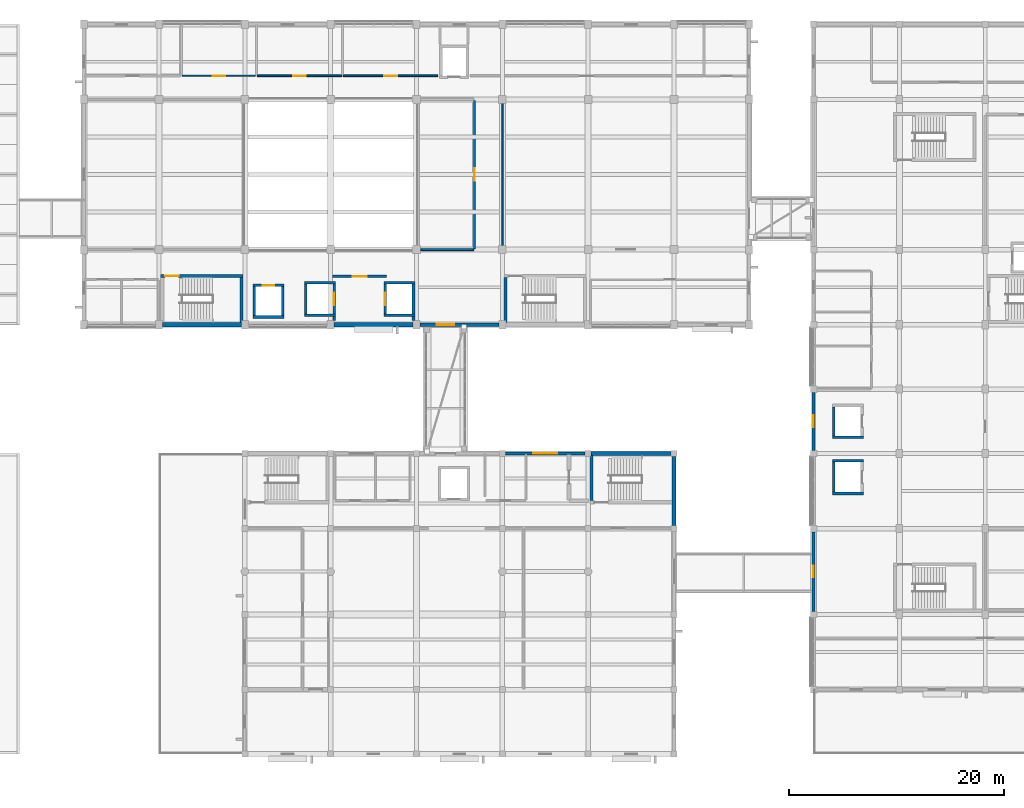
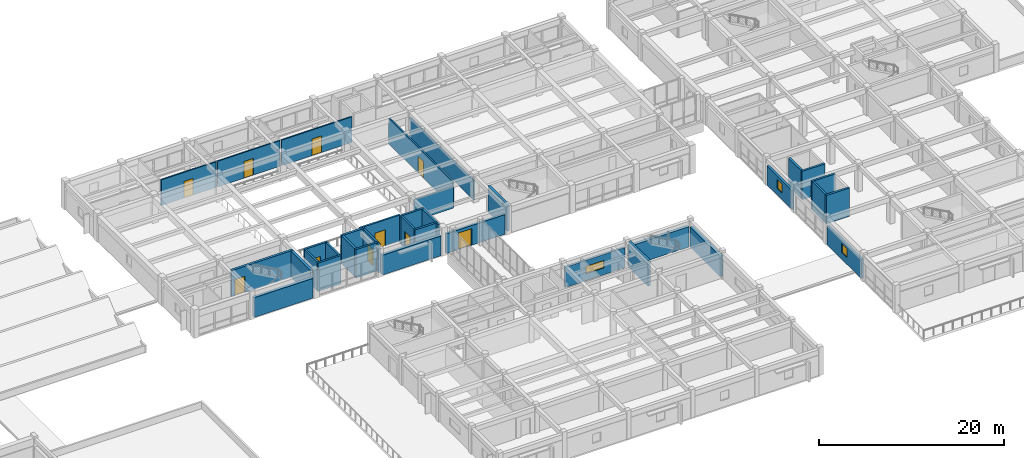
# One storey, part 29 of 42: 36 walls, 10 doors, 3 windows, 13 openings.
"""IFC4 building model written with IfcOpenShell, lengths in metres."""

from ifc_helpers import new_model, si_unit, direction, frame, frame_2d, origin, place, context, subcontext, project, spatial, rectangle, extrude, material, layer, layer_set, type_object, element, fill, save


model = new_model("IFC4")

# Units and contexts
model_context = context("Model", 3, precision=1e-05, world=origin(), true_north=direction((0.0, 1.0)))
body_context = subcontext(model_context, "Body", "Model", "MODEL_VIEW")
ifc_project = project(units=[si_unit("LENGTHUNIT", "METRE"), si_unit("AREAUNIT", "SQUARE_METRE"), si_unit("VOLUMEUNIT", "CUBIC_METRE"), si_unit("PLANEANGLEUNIT", "RADIAN"), si_unit("MASSUNIT", "GRAM", prefix="KILO")], contexts=[model_context])

# Site, building, storey
site_placement = place(None, origin())
site = spatial("IfcSite", under=ifc_project, at=site_placement, CompositionType="ELEMENT")
building_placement = place(site_placement, origin())
building = spatial("IfcBuilding", under=site, at=building_placement, Name="Naurynzar Civic Courthouse", CompositionType="ELEMENT")
storey_placement = place(building_placement, frame((0.0, 0.0, 18.300048828125)))
storey = spatial("IfcBuildingStorey", under=building, at=storey_placement, Name="L05", CompositionType="ELEMENT", Elevation=18.300048828125)

# Wall
ifc_material_1 = material(Name="Acoustic Double-Stud Gypsum Partition")
ifc_layer_1 = layer(ifc_material_1, 0.14501953125)
ifc_layer_set_1 = layer_set([ifc_layer_1], Name="WL-ACOUSTIC-145")
wall_type_1 = type_object("IfcWallType", Name="WL-ACOUSTIC-145", PredefinedType="PARTITIONING", material=ifc_layer_set_1)
wall_1_placement = place(storey_placement, frame((101.0, 51.080078125, 0.0), z_axis=(0.0, 0.0, 1.0), x_axis=(0.0, 1.0, 0.0)))
element("IfcWall", 1, at=wall_1_placement, inside=storey, type_object=wall_type_1, Name="V2 interior partition L05.635", PredefinedType="PARTITIONING", context=body_context, shape_type="SweptSolid", body=[
    extrude(rectangle(XDim=13.83984375, YDim=0.14501953125, at=frame_2d((6.919921875, 0.0))), origin(), (0.0, 0.0, 1.0), 2.619873046875),
])

# Wall, opening, door
ifc_material_2 = material(Name="Concrete C40/50", Category="concrete")
ifc_layer_2 = layer(ifc_material_2, 0.300048828125)
ifc_layer_set_2 = layer_set([ifc_layer_2], Name="WL-CORE-300")
wall_type_2 = type_object("IfcWallType", Name="WL-CORE-300", PredefinedType="SHEAR", material=ifc_layer_set_2)
wall_2_placement = place(storey_placement, frame((76.85009765625, 48.550048828125, 0.0), z_axis=(0.0, 0.0, 1.0), x_axis=(-1.0, 0.0, 0.0)))
wall_2 = element("IfcWall", 2, at=wall_2_placement, inside=storey, type_object=wall_type_2, Name="Stair ST-V2A enclosure wall north L05", PredefinedType="SHEAR", context=body_context, shape_type="SweptSolid", body=[
    extrude(rectangle(XDim=7.7001953125, YDim=0.300048828125, at=frame_2d((3.85009765625, 0.0))), origin(), (0.0, 0.0, 1.0), 3.469970703125),
])
opening_1_placement = place(wall_2_placement, frame((6.02490234375, 0.0, 0.0)))
opening_1 = element("IfcOpeningElement", 3, at=opening_1_placement, cuts=wall_2, Name="Opening SD-028", PredefinedType="OPENING", context=body_context, shape_type="SweptSolid", body=[
    extrude(rectangle(XDim=1.25, YDim=2.14990234375, at=frame_2d((0.625, 1.074951171875))), frame((0.0, 0.159912109375, 0.0), z_axis=(0.0, -1.0, 0.0), x_axis=(1.0, 0.0, 0.0)), (0.0, 0.0, 1.0), 0.320068359375),
])
ifc_material_3 = material(Name="Powder-Coated Galvanised Steel", Category="steel")
door_type_1 = type_object("IfcDoorType", Name="DR-STAIR-1250x2150", OperationType="NOTDEFINED", PredefinedType="DOOR", material=ifc_material_3)
door_1_placement = place(opening_1_placement, origin())
door_1 = element("IfcDoor", 4, at=door_1_placement, inside=storey, type_object=door_type_1, Name="Stair ST-V2A fire door L05", OperationType="SINGLE_SWING_RIGHT", OverallHeight=2.14990234375, OverallWidth=1.25, PredefinedType="DOOR", context=body_context, shape_type="SweptSolid", body=[
    extrude(rectangle(XDim=1.25, YDim=2.14990234375, at=frame_2d((0.625, 1.074951171875))), frame((0.0, 0.02490234375, 0.0), z_axis=(0.0, -1.0, 0.0), x_axis=(1.0, 0.0, 0.0)), (0.0, 0.0, 1.0), 0.050048828125),
])
fill(opening_1, door_1)

# Walls
for number, where, z_axis, x_axis, name in (
    (5, (76.699951171875, 44.195068359375, 0.0), (0.0, 0.0, 1.0), (0.0, 1.0, 0.0), "Stair ST-V2A enclosure wall east L05"),
    (6, (101.300048828125, 48.39501953125, 0.0), (0.0, 0.0, 1.0), (0.0, -1.0, 0.0), "Stair ST-V2B enclosure wall west L05"),
):
    element("IfcWall", number, at=place(storey_placement, frame(where, z_axis=z_axis, x_axis=x_axis)), inside=storey, type_object=wall_type_2, Name=name, PredefinedType="SHEAR", context=body_context, shape_type="SweptSolid", body=[
        extrude(rectangle(XDim=4.199951171875, YDim=0.300048828125, at=frame_2d((2.10009765625, 0.0))), origin(), (0.0, 0.0, 1.0), 3.469970703125),
    ])
wall_3_placement = place(storey_placement, frame((109.300048828125, 31.804931640625, 0.0), z_axis=(0.0, 0.0, 1.0), x_axis=(0.0, -1.0, 0.0)))
element("IfcWall", 7, at=wall_3_placement, inside=storey, type_object=wall_type_2, Name="Stair ST-V3B enclosure wall west L05", PredefinedType="SHEAR", context=body_context, shape_type="SweptSolid", body=[
    extrude(rectangle(XDim=4.199951171875, YDim=0.300048828125, at=frame_2d((2.10009765625, 0.0))), origin(), (0.0, 0.0, 1.0), 3.409912109375),
])

# Wall, opening, window
ifc_material_4 = material(Name="Precast concrete C40/50", Category="concrete")
ifc_layer_3 = layer(ifc_material_4, 0.260009765625)
ifc_layer_set_3 = layer_set([ifc_layer_3], Name="WL-EXT-260")
wall_type_3 = type_object("IfcWallType", Name="WL-EXT-260", PredefinedType="SOLIDWALL", material=ifc_layer_set_3)
wall_4_placement = place(storey_placement, frame((101.27490234375, 32.0, 0.0), z_axis=(0.0, 0.0, 1.0), x_axis=(1.0, 0.0, 0.0)))
wall_4 = element("IfcWall", 8, at=wall_4_placement, inside=storey, type_object=wall_type_3, Name="V3 exterior wall north L05.4.1", PredefinedType="SOLIDWALL", context=body_context, shape_type="SweptSolid", body=[
    extrude(rectangle(XDim=7.4501953125, YDim=0.260009765625, at=frame_2d((3.72509765625, 0.0))), origin(), (0.0, 0.0, 1.0), 2.68994140625),
])
opening_2_placement = place(wall_4_placement, frame((2.625, 0.0, 0.89990234375)))
opening_2 = element("IfcOpeningElement", 9, at=opening_2_placement, cuts=wall_4, Name="Opening WN-18", PredefinedType="OPENING", context=body_context, shape_type="SweptSolid", body=[
    extrude(rectangle(XDim=2.199951171875, YDim=1.0, at=frame_2d((1.10009765625, 0.5))), frame((0.0, 0.139892578125, 0.0), z_axis=(0.0, -1.0, 0.0), x_axis=(1.0, 0.0, 0.0)), (0.0, 0.0, 1.0), 0.280029296875),
])
ifc_material_5 = material(Name="Tempered Laminated Low-E Glass", Category="glass")
window_type_1 = type_object("IfcWindowType", Name="WIN-CLER-2200x1000", PartitioningType="DOUBLE_PANEL_VERTICAL", PredefinedType="WINDOW", material=ifc_material_5)
window_1_placement = place(opening_2_placement, origin())
window_1 = element("IfcWindow", 10, at=window_1_placement, inside=storey, type_object=window_type_1, Name="V3 window 193 L05", OverallHeight=1.0, OverallWidth=2.199951171875, PartitioningType="SINGLE_PANEL", PredefinedType="WINDOW", context=body_context, shape_type="SweptSolid", body=[
    extrude(rectangle(XDim=2.199951171875, YDim=1.0, at=frame_2d((1.10009765625, 0.5))), frame((0.0, 0.030029296875, 0.0), z_axis=(0.0, -1.0, 0.0), x_axis=(1.0, 0.0, 0.0)), (0.0, 0.0, 1.0), 0.06005859375),
])
fill(opening_2, window_1)

wall_5_placement = place(storey_placement, frame((130.0, 17.300048828125, 0.0), z_axis=(0.0, 0.0, 1.0), x_axis=(0.0, 1.0, 0.0)))
wall_5 = element("IfcWall", 11, at=wall_5_placement, inside=storey, type_object=wall_type_3, Name="V5 exterior wall west L05.2.1", PredefinedType="SOLIDWALL", context=body_context, shape_type="SweptSolid", body=[
    extrude(rectangle(XDim=7.39990234375, YDim=0.260009765625, at=frame_2d((3.699951171875, 0.0))), origin(), (0.0, 0.0, 1.0), 2.550048828125),
])
opening_3_placement = place(wall_5_placement, frame((3.14990234375, 0.0, 0.89990234375)))
opening_3 = element("IfcOpeningElement", 12, at=opening_3_placement, cuts=wall_5, Name="Opening WN-15", PredefinedType="OPENING", context=body_context, shape_type="SweptSolid", body=[
    extrude(rectangle(XDim=1.10009765625, YDim=1.199951171875, at=frame_2d((0.550048828125, 0.60009765625))), frame((0.0, 0.139892578125, 0.0), z_axis=(0.0, -1.0, 0.0), x_axis=(1.0, 0.0, 0.0)), (0.0, 0.0, 1.0), 0.280029296875),
])
ifc_material_6 = material(Name="Tempered Laminated Low-E Glass", Category="glass")
window_type_2 = type_object("IfcWindowType", Name="WIN-SEC-1100x1200", PartitioningType="SINGLE_PANEL", PredefinedType="WINDOW", material=ifc_material_6)
window_2_placement = place(opening_3_placement, origin())
window_2 = element("IfcWindow", 13, at=window_2_placement, inside=storey, type_object=window_type_2, Name="V5 window 320 L05", OverallHeight=1.199951171875, OverallWidth=1.10009765625, PartitioningType="SINGLE_PANEL", PredefinedType="WINDOW", context=body_context, shape_type="SweptSolid", body=[
    extrude(rectangle(XDim=1.10009765625, YDim=1.199951171875, at=frame_2d((0.550048828125, 0.60009765625))), frame((0.0, 0.030029296875, 0.0), z_axis=(0.0, -1.0, 0.0), x_axis=(1.0, 0.0, 0.0)), (0.0, 0.0, 1.0), 0.06005859375),
])
fill(opening_3, window_2)

wall_6_placement = place(storey_placement, frame((130.0, 32.300048828125, 0.0), z_axis=(0.0, 0.0, 1.0), x_axis=(0.0, 1.0, 0.0)))
wall_6 = element("IfcWall", 14, at=wall_6_placement, inside=storey, type_object=wall_type_3, Name="V5 exterior wall west L05.4.1", PredefinedType="SOLIDWALL", context=body_context, shape_type="SweptSolid", body=[
    extrude(rectangle(XDim=5.39990234375, YDim=0.260009765625, at=frame_2d((2.699951171875, 0.0))), origin(), (0.0, 0.0, 1.0), 2.550048828125),
])
opening_4_placement = place(wall_6_placement, frame((2.14990234375, 0.0, 0.89990234375)))
opening_4 = element("IfcOpeningElement", 15, at=opening_4_placement, cuts=wall_6, Name="Opening WN-15", PredefinedType="OPENING", context=body_context, shape_type="SweptSolid", body=[
    extrude(rectangle(XDim=1.10009765625, YDim=1.199951171875, at=frame_2d((0.550048828125, 0.60009765625))), frame((0.0, 0.139892578125, 0.0), z_axis=(0.0, -1.0, 0.0), x_axis=(1.0, 0.0, 0.0)), (0.0, 0.0, 1.0), 0.280029296875),
])
window_3_placement = place(opening_4_placement, origin())
window_3 = element("IfcWindow", 16, at=window_3_placement, inside=storey, type_object=window_type_2, Name="V5 window 321 L05", OverallHeight=1.199951171875, OverallWidth=1.10009765625, PartitioningType="SINGLE_PANEL", PredefinedType="WINDOW", context=body_context, shape_type="SweptSolid", body=[
    extrude(rectangle(XDim=1.10009765625, YDim=1.199951171875, at=frame_2d((0.550048828125, 0.60009765625))), frame((0.0, 0.030029296875, 0.0), z_axis=(0.0, -1.0, 0.0), x_axis=(1.0, 0.0, 0.0)), (0.0, 0.0, 1.0), 0.06005859375),
])
fill(opening_4, window_3)

# Wall, opening, door
ifc_material_7 = material(Name="Precast concrete C40/50", Category="concrete")
ifc_layer_4 = layer(ifc_material_7, 0.300048828125)
ifc_layer_set_4 = layer_set([ifc_layer_4], Name="WL-EXT-300")
wall_type_4 = type_object("IfcWallType", Name="WL-EXT-300", PredefinedType="SOLIDWALL", material=ifc_layer_set_4)
wall_7_placement = place(storey_placement, frame((100.675048828125, 44.0, 0.0), z_axis=(0.0, 0.0, 1.0), x_axis=(-1.0, 0.0, 0.0)))
wall_7 = element("IfcWall", 17, at=wall_7_placement, inside=storey, type_object=wall_type_4, Name="V2 exterior wall south L05.4.1", PredefinedType="SOLIDWALL", context=body_context, shape_type="SweptSolid", body=[
    extrude(rectangle(XDim=7.35009765625, YDim=0.300048828125, at=frame_2d((3.675048828125, 0.0))), origin(), (0.0, 0.0, 1.0), 2.599853515625),
])
opening_5_placement = place(wall_7_placement, frame((4.14990234375, 0.0, 0.0)))
opening_5 = element("IfcOpeningElement", 18, at=opening_5_placement, cuts=wall_7, Name="Opening BD-18", PredefinedType="OPENING", context=body_context, shape_type="SweptSolid", body=[
    extrude(rectangle(XDim=1.64990234375, YDim=2.199951171875, at=frame_2d((0.824951171875, 1.10009765625))), frame((0.0, 0.159912109375, 0.0), z_axis=(0.0, -1.0, 0.0), x_axis=(1.0, 0.0, 0.0)), (0.0, 0.0, 1.0), 0.320068359375),
])
ifc_material_8 = material(Name="Aluminium 6063-T6", Category="aluminium")
door_type_2 = type_object("IfcDoorType", Name="DR-BRG-1650x2200", OperationType="DOUBLE_DOOR_SINGLE_SWING", PredefinedType="DOOR", material=ifc_material_8)
door_2_placement = place(opening_5_placement, origin())
door_2 = element("IfcDoor", 19, at=door_2_placement, inside=storey, type_object=door_type_2, Name="Seismic bridge fire door BD-18", OperationType="DOUBLE_DOOR_SINGLE_SWING", OverallHeight=2.199951171875, OverallWidth=1.64990234375, PredefinedType="DOOR", context=body_context, shape_type="SweptSolid", body=[
    extrude(rectangle(XDim=1.64990234375, YDim=2.199951171875, at=frame_2d((0.824951171875, 1.10009765625))), frame((0.0, 0.02490234375, 0.0), z_axis=(0.0, -1.0, 0.0), x_axis=(1.0, 0.0, 0.0)), (0.0, 0.0, 1.0), 0.050048828125),
])
fill(opening_5, door_2)

ifc_material_9 = material(Name="Concrete C35/45", Category="concrete")
ifc_layer_5 = layer(ifc_material_9, 0.219970703125)
ifc_layer_set_5 = layer_set([ifc_layer_5], Name="WL-FFL-220")
wall_type_5 = type_object("IfcWallType", Name="WL-FFL-220", PredefinedType="SOLIDWALL", material=ifc_layer_set_5)
wall_8_placement = place(storey_placement, frame((85.179931640625, 48.510009765625, 0.0), z_axis=(0.0, 0.0, 1.0), x_axis=(1.0, 0.0, 0.0)))
wall_8 = element("IfcWall", 20, at=wall_8_placement, inside=storey, type_object=wall_type_5, Name="Firefighting lift lobby EI 120 wall CORE-V2 L05 north", PredefinedType="SOLIDWALL", context=body_context, shape_type="SweptSolid", body=[
    extrude(rectangle(XDim=5.0400390625, YDim=0.219970703125, at=frame_2d((2.52001953125, 0.0))), origin(), (0.0, 0.0, 1.0), 3.469970703125),
])
opening_6_placement = place(wall_8_placement, frame((1.8701171875, 0.0, 0.0)))
opening_6 = element("IfcOpeningElement", 21, at=opening_6_placement, cuts=wall_8, Name="Opening FD-06", PredefinedType="OPENING", context=body_context, shape_type="SweptSolid", body=[
    extrude(rectangle(XDim=1.300048828125, YDim=2.14990234375, at=frame_2d((0.64990234375, 1.074951171875))), frame((0.0, 0.119873046875, 0.0), z_axis=(0.0, -1.0, 0.0), x_axis=(1.0, 0.0, 0.0)), (0.0, 0.0, 1.0), 0.239990234375),
])
ifc_material_10 = material(Name="Powder-Coated Galvanised Steel", Category="steel")
door_type_3 = type_object("IfcDoorType", Name="DR-FFL-1300x2150", OperationType="NOTDEFINED", PredefinedType="DOOR", material=ifc_material_10)
door_3_placement = place(opening_6_placement, origin())
door_3 = element("IfcDoor", 22, at=door_3_placement, inside=storey, type_object=door_type_3, Name="Firefighting lift lobby door FD-06", OperationType="SINGLE_SWING_RIGHT", OverallHeight=2.14990234375, OverallWidth=1.300048828125, PredefinedType="DOOR", context=body_context, shape_type="SweptSolid", body=[
    extrude(rectangle(XDim=1.300048828125, YDim=2.14990234375, at=frame_2d((0.64990234375, 1.074951171875))), frame((0.0, 0.02490234375, 0.0), z_axis=(0.0, -1.0, 0.0), x_axis=(1.0, 0.0, 0.0)), (0.0, 0.0, 1.0), 0.050048828125),
])
fill(opening_6, door_3)

ifc_material_11 = material(Name="Insulated Metal-Stud Gypsum Partition")
ifc_layer_6 = layer(ifc_material_11, 0.159912109375)
ifc_layer_set_6 = layer_set([ifc_layer_6], Name="WL-PART-CHAMB-160")
wall_type_6 = type_object("IfcWallType", Name="WL-PART-CHAMB-160", PredefinedType="PARTITIONING", material=ifc_layer_set_6)
wall_9_placement = place(storey_placement, frame((71.169921875, 67.199951171875, 0.0), z_axis=(0.0, 0.0, 1.0), x_axis=(1.0, 0.0, 0.0)))
wall_9 = element("IfcWall", 23, at=wall_9_placement, inside=storey, type_object=wall_type_6, Name="V2 interior partition L05.609", PredefinedType="PARTITIONING", context=body_context, shape_type="SweptSolid", body=[
    extrude(rectangle(XDim=6.830078125, YDim=0.159912109375, at=frame_2d((3.4150390625, 0.0))), origin(), (0.0, 0.0, 1.0), 3.389892578125),
])
opening_7_placement = place(wall_9_placement, frame((2.844970703125, 0.0, 0.0)))
opening_7 = element("IfcOpeningElement", 24, at=opening_7_placement, cuts=wall_9, Name="Opening D-158", PredefinedType="OPENING", context=body_context, shape_type="SweptSolid", body=[
    extrude(rectangle(XDim=1.139892578125, YDim=2.199951171875, at=frame_2d((0.56982421875, 1.10009765625))), frame((0.0, 0.08984375, 0.0), z_axis=(0.0, -1.0, 0.0), x_axis=(1.0, 0.0, 0.0)), (0.0, 0.0, 1.0), 0.179931640625),
])
ifc_material_12 = material(Name="Acoustic Oak Timber Grade A", Category="wood")
door_type_4 = type_object("IfcDoorType", Name="DR-SUITE-1140x2200", OperationType="NOTDEFINED", PredefinedType="DOOR", material=ifc_material_12)
door_4_placement = place(opening_7_placement, origin())
door_4 = element("IfcDoor", 25, at=door_4_placement, inside=storey, type_object=door_type_4, Name="Interior door D-158 (Judges' Chambers L05-2)", OperationType="SINGLE_SWING_RIGHT", OverallHeight=2.199951171875, OverallWidth=1.139892578125, PredefinedType="DOOR", context=body_context, shape_type="SweptSolid", body=[
    extrude(rectangle(XDim=1.139892578125, YDim=2.199951171875, at=frame_2d((0.56982421875, 1.10009765625))), frame((0.0, 0.02490234375, 0.0), z_axis=(0.0, -1.0, 0.0), x_axis=(1.0, 0.0, 0.0)), (0.0, 0.0, 1.0), 0.050048828125),
])
fill(opening_7, door_4)

wall_10_placement = place(storey_placement, frame((78.159912109375, 67.199951171875, 0.0), z_axis=(0.0, 0.0, 1.0), x_axis=(1.0, 0.0, 0.0)))
wall_10 = element("IfcWall", 26, at=wall_10_placement, inside=storey, type_object=wall_type_6, Name="V2 interior partition L05.610", PredefinedType="PARTITIONING", context=body_context, shape_type="SweptSolid", body=[
    extrude(rectangle(XDim=7.8701171875, YDim=0.159912109375, at=frame_2d((3.93505859375, 0.0))), origin(), (0.0, 0.0, 1.0), 3.389892578125),
])
opening_8_placement = place(wall_10_placement, frame((3.344970703125, 0.0, 0.0)))
opening_8 = element("IfcOpeningElement", 27, at=opening_8_placement, cuts=wall_10, Name="Opening D-159", PredefinedType="OPENING", context=body_context, shape_type="SweptSolid", body=[
    extrude(rectangle(XDim=1.179931640625, YDim=2.199951171875, at=frame_2d((0.58984375, 1.10009765625))), frame((0.0, 0.08984375, 0.0), z_axis=(0.0, -1.0, 0.0), x_axis=(1.0, 0.0, 0.0)), (0.0, 0.0, 1.0), 0.179931640625),
])
ifc_material_13 = material(Name="Acoustic Oak Timber Grade A", Category="wood")
door_type_5 = type_object("IfcDoorType", Name="DR-SUITE-1180x2200", OperationType="NOTDEFINED", PredefinedType="DOOR", material=ifc_material_13)
door_5_placement = place(opening_8_placement, origin())
door_5 = element("IfcDoor", 28, at=door_5_placement, inside=storey, type_object=door_type_5, Name="Interior door D-159 (Judges' Chambers L05-3)", OperationType="SINGLE_SWING_LEFT", OverallHeight=2.199951171875, OverallWidth=1.179931640625, PredefinedType="DOOR", context=body_context, shape_type="SweptSolid", body=[
    extrude(rectangle(XDim=1.179931640625, YDim=2.199951171875, at=frame_2d((0.58984375, 1.10009765625))), frame((0.0, 0.02490234375, 0.0), z_axis=(0.0, -1.0, 0.0), x_axis=(1.0, 0.0, 0.0)), (0.0, 0.0, 1.0), 0.050048828125),
])
fill(opening_8, door_5)

wall_11_placement = place(storey_placement, frame((86.18994140625, 67.199951171875, 0.0), z_axis=(0.0, 0.0, 1.0), x_axis=(1.0, 0.0, 0.0)))
wall_11 = element("IfcWall", 29, at=wall_11_placement, inside=storey, type_object=wall_type_6, Name="V2 interior partition L05.611", PredefinedType="PARTITIONING", context=body_context, shape_type="SweptSolid", body=[
    extrude(rectangle(XDim=8.81005859375, YDim=0.159912109375, at=frame_2d((4.405029296875, 0.0))), origin(), (0.0, 0.0, 1.0), 3.389892578125),
])
opening_9_placement = place(wall_11_placement, frame((3.794921875, 0.0, 0.0)))
opening_9 = element("IfcOpeningElement", 30, at=opening_9_placement, cuts=wall_11, Name="Opening D-160", PredefinedType="OPENING", context=body_context, shape_type="SweptSolid", body=[
    extrude(rectangle(XDim=1.219970703125, YDim=2.199951171875, at=frame_2d((0.60986328125, 1.10009765625))), frame((0.0, 0.08984375, 0.0), z_axis=(0.0, -1.0, 0.0), x_axis=(1.0, 0.0, 0.0)), (0.0, 0.0, 1.0), 0.179931640625),
])
ifc_material_14 = material(Name="Acoustic Oak Timber Grade A", Category="wood")
door_type_6 = type_object("IfcDoorType", Name="DR-SUITE-1220x2200", OperationType="NOTDEFINED", PredefinedType="DOOR", material=ifc_material_14)
door_6_placement = place(opening_9_placement, origin())
door_6 = element("IfcDoor", 31, at=door_6_placement, inside=storey, type_object=door_type_6, Name="Interior door D-160 (Judges' Chambers L05-4)", OperationType="SINGLE_SWING_RIGHT", OverallHeight=2.199951171875, OverallWidth=1.219970703125, PredefinedType="DOOR", context=body_context, shape_type="SweptSolid", body=[
    extrude(rectangle(XDim=1.219970703125, YDim=2.199951171875, at=frame_2d((0.60986328125, 1.10009765625))), frame((0.0, 0.02490234375, 0.0), z_axis=(0.0, -1.0, 0.0), x_axis=(1.0, 0.0, 0.0)), (0.0, 0.0, 1.0), 0.050048828125),
])
fill(opening_9, door_6)

# Wall
ifc_material_15 = material(Name="Acoustic Double-Stud Gypsum Partition")
ifc_layer_7 = layer(ifc_material_15, 0.179931640625)
ifc_layer_set_7 = layer_set([ifc_layer_7], Name="WL-PART-JURY-180")
wall_type_7 = type_object("IfcWallType", Name="WL-PART-JURY-180", PredefinedType="PARTITIONING", material=ifc_layer_set_7)
wall_12_placement = place(storey_placement, frame((93.39990234375, 51.0, 0.0), z_axis=(0.0, 0.0, 1.0), x_axis=(1.0, 0.0, 0.0)))
element("IfcWall", 32, at=wall_12_placement, inside=storey, type_object=wall_type_7, Name="V2 interior partition L05.599", PredefinedType="PARTITIONING", context=body_context, shape_type="SweptSolid", body=[
    extrude(rectangle(XDim=4.920166015625, YDim=0.179931640625, at=frame_2d((2.4599609375, 0.0))), origin(), (0.0, 0.0, 1.0), 2.820068359375),
])

# Wall, opening, door
wall_13_placement = place(storey_placement, frame((98.39990234375, 51.080078125, 0.0), z_axis=(0.0, 0.0, 1.0), x_axis=(0.0, 1.0, 0.0)))
wall_13 = element("IfcWall", 33, at=wall_13_placement, inside=storey, type_object=wall_type_7, Name="V2 interior partition L05.633", PredefinedType="PARTITIONING", context=body_context, shape_type="SweptSolid", body=[
    extrude(rectangle(XDim=13.83984375, YDim=0.179931640625, at=frame_2d((6.919921875, 0.0))), origin(), (0.0, 0.0, 1.0), 3.389892578125),
])
opening_10_placement = place(wall_13_placement, frame((6.344970703125, 0.0, 0.0)))
opening_10 = element("IfcOpeningElement", 34, at=opening_10_placement, cuts=wall_13, Name="Opening D-155", PredefinedType="OPENING", context=body_context, shape_type="SweptSolid", body=[
    extrude(rectangle(XDim=1.14990234375, YDim=2.199951171875, at=frame_2d((0.574951171875, 1.10009765625))), frame((0.0, 0.099853515625, 0.0), z_axis=(0.0, -1.0, 0.0), x_axis=(1.0, 0.0, 0.0)), (0.0, 0.0, 1.0), 0.199951171875),
])
ifc_material_16 = material(Name="Acoustic Oak Timber Grade A", Category="wood")
door_type_7 = type_object("IfcDoorType", Name="DR-JURY-1150x2200", OperationType="NOTDEFINED", PredefinedType="DOOR", material=ifc_material_16)
door_7_placement = place(opening_10_placement, origin())
door_7 = element("IfcDoor", 35, at=door_7_placement, inside=storey, type_object=door_type_7, Name="Interior door D-155 (Jury Room 5A)", OperationType="SINGLE_SWING_LEFT", OverallHeight=2.199951171875, OverallWidth=1.14990234375, PredefinedType="DOOR", context=body_context, shape_type="SweptSolid", body=[
    extrude(rectangle(XDim=1.14990234375, YDim=2.199951171875, at=frame_2d((0.574951171875, 1.10009765625))), frame((0.0, 0.02490234375, 0.0), z_axis=(0.0, -1.0, 0.0), x_axis=(1.0, 0.0, 0.0)), (0.0, 0.0, 1.0), 0.050048828125),
])
fill(opening_10, door_7)

# Walls
ifc_material_17 = material(Name="Concrete C40/50", Category="concrete")
ifc_layer_8 = layer(ifc_material_17, 0.3798828125)
ifc_layer_set_8 = layer_set([ifc_layer_8], Name="WL-RET-380")
wall_type_8 = type_object("IfcWallType", Name="WL-RET-380", PredefinedType="STANDARD", material=ifc_layer_set_8)
for number, where, z_axis, x_axis, name in (
    (36, (92.675048828125, 44.0, 0.0), (0.0, 0.0, 1.0), (-1.0, 0.0, 0.0), "V2 exterior wall south L05.5.1"),
    (37, (76.675048828125, 44.0, 0.0), (0.0, 0.0, 1.0), (-1.0, 0.0, 0.0), "V2 exterior wall south L05.7.1"),
):
    element("IfcWall", number, at=place(storey_placement, frame(where, z_axis=z_axis, x_axis=x_axis)), inside=storey, type_object=wall_type_8, Name=name, PredefinedType="STANDARD", context=body_context, shape_type="SweptSolid", body=[
        extrude(rectangle(XDim=7.35009765625, YDim=0.3798828125, at=frame_2d((3.675048828125, 0.0))), origin(), (0.0, 0.0, 1.0), 2.599853515625),
    ])
wall_14_placement = place(storey_placement, frame((109.27490234375, 32.0, 0.0), z_axis=(0.0, 0.0, 1.0), x_axis=(1.0, 0.0, 0.0)))
element("IfcWall", 38, at=wall_14_placement, inside=storey, type_object=wall_type_8, Name="V3 exterior wall north L05.5.1", PredefinedType="STANDARD", context=body_context, shape_type="SweptSolid", body=[
    extrude(rectangle(XDim=7.4501953125, YDim=0.3798828125, at=frame_2d((3.72509765625, 0.0))), origin(), (0.0, 0.0, 1.0), 2.68994140625),
])
wall_15_placement = place(storey_placement, frame((117.0, 31.72509765625, 0.0), z_axis=(0.0, 0.0, 1.0), x_axis=(0.0, -1.0, 0.0)))
element("IfcWall", 39, at=wall_15_placement, inside=storey, type_object=wall_type_8, Name="V3 exterior wall east L05.1.1", PredefinedType="STANDARD", context=body_context, shape_type="SweptSolid", body=[
    extrude(rectangle(XDim=6.4501953125, YDim=0.3798828125, at=frame_2d((3.22509765625, 0.0))), origin(), (0.0, 0.0, 1.0), 2.68994140625),
])
ifc_material_18 = material(Name="Concrete C40/50", Category="concrete")
ifc_layer_9 = layer(ifc_material_18, 0.25)
ifc_layer_set_9 = layer_set([ifc_layer_9], Name="WL-SHAFT-250")
wall_type_9 = type_object("IfcWallType", Name="WL-SHAFT-250", PredefinedType="SHEAR", material=ifc_layer_set_9)
wall_16_placement = place(storey_placement, frame((77.75, 44.72509765625, 0.0), z_axis=(0.0, 0.0, 1.0), x_axis=(1.0, 0.0, 0.0)))
element("IfcWall", 40, at=wall_16_placement, inside=storey, type_object=wall_type_9, Name="Lift LP-03 shaft wall south L05", PredefinedType="SHEAR", context=body_context, shape_type="SweptSolid", body=[
    extrude(rectangle(XDim=2.89990234375, YDim=0.25, at=frame_2d((1.449951171875, 0.0))), origin(), (0.0, 0.0, 1.0), 3.75),
])

# Wall, opening, door
wall_17_placement = place(storey_placement, frame((80.64990234375, 47.675048828125, 0.0), z_axis=(0.0, 0.0, 1.0), x_axis=(-1.0, 0.0, 0.0)))
wall_17 = element("IfcWall", 41, at=wall_17_placement, inside=storey, type_object=wall_type_9, Name="Lift LP-03 shaft wall north L05", PredefinedType="SHEAR", context=body_context, shape_type="SweptSolid", body=[
    extrude(rectangle(XDim=2.89990234375, YDim=0.25, at=frame_2d((1.449951171875, 0.0))), origin(), (0.0, 0.0, 1.0), 3.75),
])
opening_11_placement = place(wall_17_placement, frame((0.89990234375, 0.0, 0.0)))
opening_11 = element("IfcOpeningElement", 42, at=opening_11_placement, cuts=wall_17, Name="Opening LD-022", PredefinedType="OPENING", context=body_context, shape_type="SweptSolid", body=[
    extrude(rectangle(XDim=1.10009765625, YDim=2.14990234375, at=frame_2d((0.550048828125, 1.074951171875))), frame((0.0, 0.135009765625, 0.0), z_axis=(0.0, -1.0, 0.0), x_axis=(1.0, 0.0, 0.0)), (0.0, 0.0, 1.0), 0.27001953125),
])
ifc_material_19 = material(Name="Brushed Stainless Steel 304", Category="steel")
door_type_8 = type_object("IfcDoorType", Name="DR-LIFT-SLIDE-1100x2150", OperationType="DOUBLE_DOOR_SLIDING", PredefinedType="DOOR", material=ifc_material_19)
door_8_placement = place(opening_11_placement, origin())
door_8 = element("IfcDoor", 43, at=door_8_placement, inside=storey, type_object=door_type_8, Name="Lift LP-03 sliding landing door L05", OperationType="DOUBLE_DOOR_SLIDING", OverallHeight=2.14990234375, OverallWidth=1.10009765625, PredefinedType="DOOR", context=body_context, shape_type="SweptSolid", body=[
    extrude(rectangle(XDim=1.10009765625, YDim=2.14990234375, at=frame_2d((0.550048828125, 1.074951171875))), frame((0.0, 0.02490234375, 0.0), z_axis=(0.0, -1.0, 0.0), x_axis=(1.0, 0.0, 0.0)), (0.0, 0.0, 1.0), 0.050048828125),
])
fill(opening_11, door_8)

# Walls
for number, where, z_axis, x_axis, name in (
    (44, (77.875, 47.544921875, 0.0), (0.0, 0.0, 1.0), (0.0, -1.0, 0.0), "Lift LP-03 shaft wall west L05"),
    (45, (80.52490234375, 44.85498046875, 0.0), (0.0, 0.0, 1.0), (0.0, 1.0, 0.0), "Lift LP-03 shaft wall east L05"),
):
    element("IfcWall", number, at=place(storey_placement, frame(where, z_axis=z_axis, x_axis=x_axis)), inside=storey, type_object=wall_type_9, Name=name, PredefinedType="SHEAR", context=body_context, shape_type="SweptSolid", body=[
        extrude(rectangle(XDim=2.68994140625, YDim=0.25, at=frame_2d((1.344970703125, 0.0))), origin(), (0.0, 0.0, 1.0), 3.75),
    ])
for number, where, z_axis, x_axis, name in (
    (46, (82.550048828125, 44.875, 0.0), (0.0, 0.0, 1.0), (1.0, 0.0, 0.0), "Lift FL-02 shaft wall south L05"),
    (47, (85.449951171875, 47.925048828125, 0.0), (0.0, 0.0, 1.0), (-1.0, 0.0, 0.0), "Lift FL-02 shaft wall north L05"),
):
    element("IfcWall", number, at=place(storey_placement, frame(where, z_axis=z_axis, x_axis=x_axis)), inside=storey, type_object=wall_type_9, Name=name, PredefinedType="SHEAR", context=body_context, shape_type="SweptSolid", body=[
        extrude(rectangle(XDim=2.89990234375, YDim=0.25, at=frame_2d((1.449951171875, 0.0))), origin(), (0.0, 0.0, 1.0), 3.75),
    ])
wall_18_placement = place(storey_placement, frame((82.675048828125, 47.794921875, 0.0), z_axis=(0.0, 0.0, 1.0), x_axis=(0.0, -1.0, 0.0)))
element("IfcWall", 48, at=wall_18_placement, inside=storey, type_object=wall_type_9, Name="Lift FL-02 shaft wall west L05", PredefinedType="SHEAR", context=body_context, shape_type="SweptSolid", body=[
    extrude(rectangle(XDim=2.7900390625, YDim=0.25, at=frame_2d((1.39501953125, 0.0))), origin(), (0.0, 0.0, 1.0), 3.75),
])

# Wall, opening, door
wall_19_placement = place(storey_placement, frame((85.324951171875, 44.3798828125, 0.0), z_axis=(0.0, 0.0, 1.0), x_axis=(0.0, 1.0, 0.0)))
wall_19 = element("IfcWall", 49, at=wall_19_placement, inside=storey, type_object=wall_type_9, Name="Lift FL-02 shaft wall east L05", PredefinedType="SHEAR", context=body_context, shape_type="SweptSolid", body=[
    extrude(rectangle(XDim=3.4150390625, YDim=0.25, at=frame_2d((1.70751953125, 0.0))), origin(), (0.0, 0.0, 1.0), 3.75),
])
opening_12_placement = place(wall_19_placement, frame((1.419921875, 0.0, 0.0)))
opening_12 = element("IfcOpeningElement", 50, at=opening_12_placement, cuts=wall_19, Name="Opening LD-033", PredefinedType="OPENING", context=body_context, shape_type="SweptSolid", body=[
    extrude(rectangle(XDim=1.199951171875, YDim=2.199951171875, at=frame_2d((0.60009765625, 1.10009765625))), frame((0.0, 0.135009765625, 0.0), z_axis=(0.0, -1.0, 0.0), x_axis=(1.0, 0.0, 0.0)), (0.0, 0.0, 1.0), 0.27001953125),
])
ifc_material_20 = material(Name="Brushed Stainless Steel 304", Category="steel")
door_type_9 = type_object("IfcDoorType", Name="DR-LIFT-FF-1200x2200", OperationType="DOUBLE_DOOR_SLIDING", PredefinedType="DOOR", material=ifc_material_20)
door_9_placement = place(opening_12_placement, origin())
door_9 = element("IfcDoor", 51, at=door_9_placement, inside=storey, type_object=door_type_9, Name="Lift FL-02 sliding landing door L05", OperationType="DOUBLE_DOOR_SLIDING", OverallHeight=2.199951171875, OverallWidth=1.199951171875, PredefinedType="DOOR", context=body_context, shape_type="SweptSolid", body=[
    extrude(rectangle(XDim=1.199951171875, YDim=2.199951171875, at=frame_2d((0.60009765625, 1.10009765625))), frame((0.0, 0.02490234375, 0.0), z_axis=(0.0, -1.0, 0.0), x_axis=(1.0, 0.0, 0.0)), (0.0, 0.0, 1.0), 0.050048828125),
])
fill(opening_12, door_9)

# Walls
for number, where, z_axis, x_axis, name in (
    (52, (89.949951171875, 44.875, 0.0), (0.0, 0.0, 1.0), (1.0, 0.0, 0.0), "Lift FL-01 shaft wall south L05"),
    (53, (92.85009765625, 47.925048828125, 0.0), (0.0, 0.0, 1.0), (-1.0, 0.0, 0.0), "Lift FL-01 shaft wall north L05"),
):
    element("IfcWall", number, at=place(storey_placement, frame(where, z_axis=z_axis, x_axis=x_axis)), inside=storey, type_object=wall_type_9, Name=name, PredefinedType="SHEAR", context=body_context, shape_type="SweptSolid", body=[
        extrude(rectangle(XDim=2.900146484375, YDim=0.25, at=frame_2d((1.4501953125, 0.0))), origin(), (0.0, 0.0, 1.0), 3.75),
    ])

# Wall, opening, door
wall_20_placement = place(storey_placement, frame((90.074951171875, 47.794921875, 0.0), z_axis=(0.0, 0.0, 1.0), x_axis=(0.0, -1.0, 0.0)))
wall_20 = element("IfcWall", 54, at=wall_20_placement, inside=storey, type_object=wall_type_9, Name="Lift FL-01 shaft wall west L05", PredefinedType="SHEAR", context=body_context, shape_type="SweptSolid", body=[
    extrude(rectangle(XDim=2.7900390625, YDim=0.25, at=frame_2d((1.39501953125, 0.0))), origin(), (0.0, 0.0, 1.0), 3.75),
])
opening_13_placement = place(wall_20_placement, frame((0.794921875, 0.0, 0.0)))
opening_13 = element("IfcOpeningElement", 55, at=opening_13_placement, cuts=wall_20, Name="Opening LD-044", PredefinedType="OPENING", context=body_context, shape_type="SweptSolid", body=[
    extrude(rectangle(XDim=1.199951171875, YDim=2.199951171875, at=frame_2d((0.60009765625, 1.10009765625))), frame((0.0, 0.135009765625, 0.0), z_axis=(0.0, -1.0, 0.0), x_axis=(1.0, 0.0, 0.0)), (0.0, 0.0, 1.0), 0.27001953125),
])
door_10_placement = place(opening_13_placement, origin())
door_10 = element("IfcDoor", 56, at=door_10_placement, inside=storey, type_object=door_type_9, Name="Lift FL-01 sliding landing door L05", OperationType="DOUBLE_DOOR_SLIDING", OverallHeight=2.199951171875, OverallWidth=1.199951171875, PredefinedType="DOOR", context=body_context, shape_type="SweptSolid", body=[
    extrude(rectangle(XDim=1.199951171875, YDim=2.199951171875, at=frame_2d((0.60009765625, 1.10009765625))), frame((0.0, 0.02490234375, 0.0), z_axis=(0.0, -1.0, 0.0), x_axis=(1.0, 0.0, 0.0)), (0.0, 0.0, 1.0), 0.050048828125),
])
fill(opening_13, door_10)

# Walls
wall_21_placement = place(storey_placement, frame((92.72509765625, 44.3798828125, 0.0), z_axis=(0.0, 0.0, 1.0), x_axis=(0.0, 1.0, 0.0)))
element("IfcWall", 57, at=wall_21_placement, inside=storey, type_object=wall_type_9, Name="Lift FL-01 shaft wall east L05", PredefinedType="SHEAR", context=body_context, shape_type="SweptSolid", body=[
    extrude(rectangle(XDim=3.4150390625, YDim=0.25, at=frame_2d((1.70751953125, 0.0))), origin(), (0.0, 0.0, 1.0), 3.75),
])
wall_22_placement = place(storey_placement, frame((131.75, 33.52490234375, 0.0), z_axis=(0.0, 0.0, 1.0), x_axis=(1.0, 0.0, 0.0)))
element("IfcWall", 58, at=wall_22_placement, inside=storey, type_object=wall_type_9, Name="Lift LP-05 shaft wall south L05", PredefinedType="SHEAR", context=body_context, shape_type="SweptSolid", body=[
    extrude(rectangle(XDim=2.89990234375, YDim=0.25, at=frame_2d((1.449951171875, 0.0))), origin(), (0.0, 0.0, 1.0), 3.75),
])
wall_23_placement = place(storey_placement, frame((131.875, 36.344970703125, 0.0), z_axis=(0.0, 0.0, 1.0), x_axis=(0.0, -1.0, 0.0)))
element("IfcWall", 59, at=wall_23_placement, inside=storey, type_object=wall_type_9, Name="Lift LP-05 shaft wall west L05", PredefinedType="SHEAR", context=body_context, shape_type="SweptSolid", body=[
    extrude(rectangle(XDim=2.68994140625, YDim=0.25, at=frame_2d((1.344970703125, 0.0))), origin(), (0.0, 0.0, 1.0), 3.75),
])
for number, where, z_axis, x_axis, name in (
    (60, (131.75, 28.27490234375, 0.0), (0.0, 0.0, 1.0), (1.0, 0.0, 0.0), "Lift LP-06 shaft wall south L05"),
    (61, (134.64990234375, 31.324951171875, 0.0), (0.0, 0.0, 1.0), (-1.0, 0.0, 0.0), "Lift LP-06 shaft wall north L05"),
):
    element("IfcWall", number, at=place(storey_placement, frame(where, z_axis=z_axis, x_axis=x_axis)), inside=storey, type_object=wall_type_9, Name=name, PredefinedType="SHEAR", context=body_context, shape_type="SweptSolid", body=[
        extrude(rectangle(XDim=2.89990234375, YDim=0.25, at=frame_2d((1.449951171875, 0.0))), origin(), (0.0, 0.0, 1.0), 3.75),
    ])
wall_24_placement = place(storey_placement, frame((131.875, 31.195068359375, 0.0), z_axis=(0.0, 0.0, 1.0), x_axis=(0.0, -1.0, 0.0)))
element("IfcWall", 62, at=wall_24_placement, inside=storey, type_object=wall_type_9, Name="Lift LP-06 shaft wall west L05", PredefinedType="SHEAR", context=body_context, shape_type="SweptSolid", body=[
    extrude(rectangle(XDim=2.7900390625, YDim=0.25, at=frame_2d((1.39501953125, 0.0))), origin(), (0.0, 0.0, 1.0), 3.75),
])

save(model, "model.ifc")
